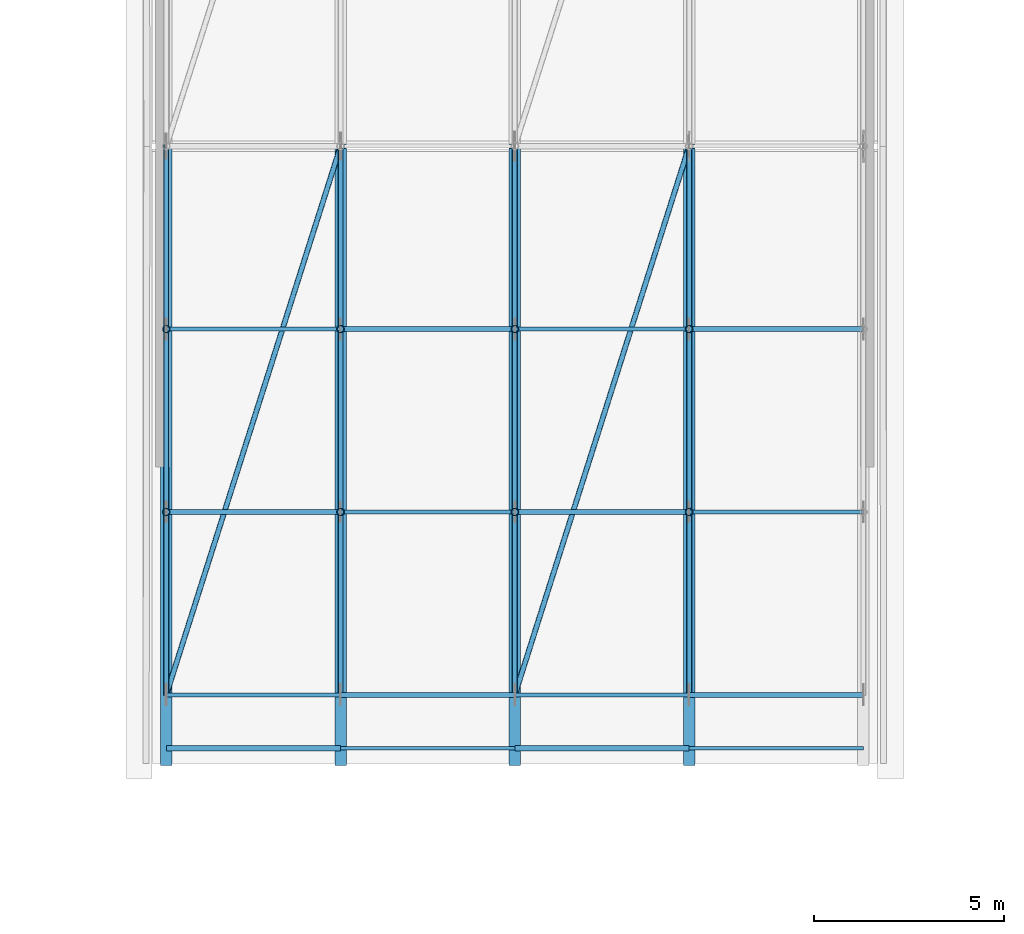
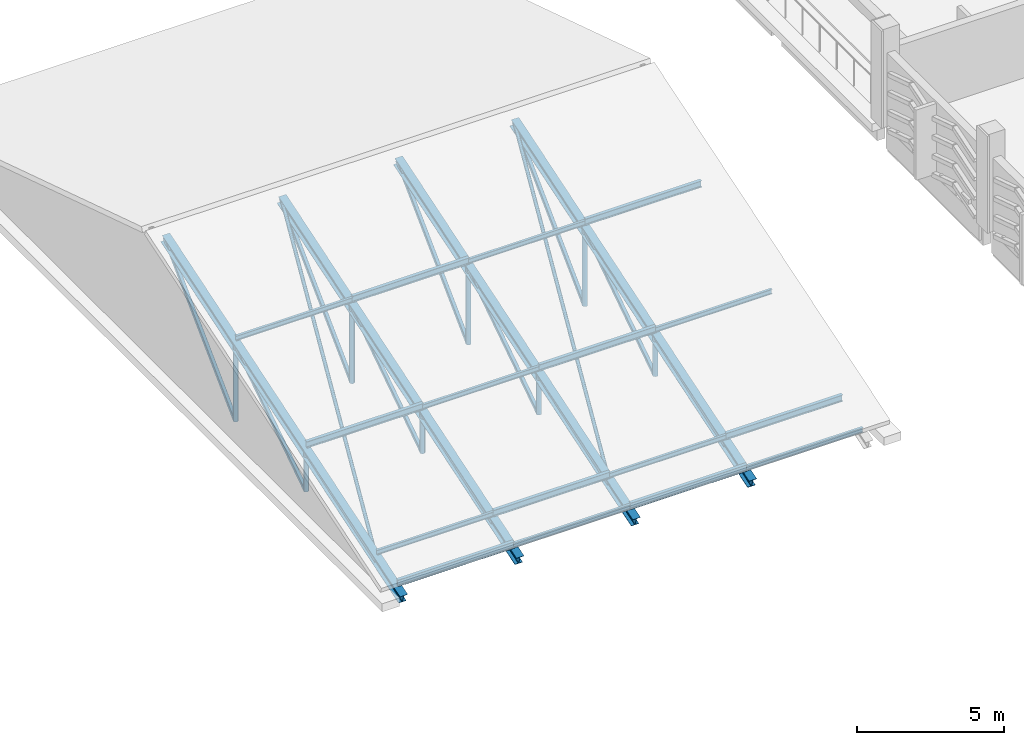
# One storey, part 21 of 134: 42 members.
"""IFC4 building model written with IfcOpenShell, lengths in metres."""

from ifc_helpers import new_model, si_unit, direction, frame, origin, origin_2d, place, context, subcontext, project, spatial, hollow_rectangle, hollow_circle, i_section, extrude, material, material_profile, profile_set, type_object, element, save


model = new_model("IFC4")

# Units and contexts
model_context = context("Model", 3, precision=1e-05, world=origin(), true_north=direction((0.0, 1.0)))
body_context = subcontext(model_context, "Body", "Model", "MODEL_VIEW")
ifc_project = project(units=[si_unit("LENGTHUNIT", "METRE"), si_unit("AREAUNIT", "SQUARE_METRE"), si_unit("VOLUMEUNIT", "CUBIC_METRE"), si_unit("PLANEANGLEUNIT", "RADIAN"), si_unit("MASSUNIT", "GRAM", prefix="KILO")], contexts=[model_context])

# Site, building, storey
site_placement = place(None, origin())
site = spatial("IfcSite", under=ifc_project, at=site_placement, CompositionType="ELEMENT")
building_placement = place(site_placement, origin())
building = spatial("IfcBuilding", under=site, at=building_placement, Name="Asteropetra Specialist Clinic", CompositionType="ELEMENT")
storey_placement = place(building_placement, frame((0.0, 0.0, 8.5)))
storey = spatial("IfcBuildingStorey", under=building, at=storey_placement, Name="L02", CompositionType="ELEMENT", Elevation=8.5)

# Members
ifc_material_1 = material(Name="Steel S355", Category="steel")
ifc_material_profile_1 = material_profile(ifc_material_1, hollow_circle(Radius=0.06982421875, WallThickness=0.008056640625, at=origin_2d()), Name="CHS 139.7x8.0")
ifc_profile_set_1 = profile_set([ifc_material_profile_1], Name="Steel S355")
member_type_1 = type_object("IfcMemberType", Name="TR-BRC-CHS139", PredefinedType="BRACE", material=ifc_profile_set_1)
for number, where, z_axis, x_axis, name in (
    (1, (77.25, 33.60009765625, 0.444580078125), (0.289546241841, 0.911362209096, 0.29254383888), (-0.953056414042, 0.302792786659, 0.0), "Roof Wind Brace TRV3-RB1-01"),
    (2, (86.39990234375, 33.60009765625, 0.444580078125), (0.289560397867, 0.911358131642, 0.292542530032), (-0.953051750975, 0.302807463519, 0.0), "Roof Wind Brace TRV3-RB1-03"),
):
    element("IfcMember", number, at=place(storey_placement, frame(where, z_axis=z_axis, x_axis=x_axis)), inside=storey, type_object=member_type_1, Name=name, PredefinedType="BRACE", context=body_context, shape_type="SweptSolid", body=[
        extrude(hollow_circle(Radius=0.06982421875, WallThickness=0.008056640625, at=origin_2d()), origin(), (0.0, 0.0, 1.0), 15.800537109375),
    ])
ifc_material_2 = material(Name="Steel S355", Category="steel")
ifc_material_profile_2 = material_profile(ifc_material_2, hollow_rectangle(XDim=0.139892578125, YDim=0.139892578125, WallThickness=0.008056640625, InnerFilletRadius=0.008056640625, OuterFilletRadius=0.01611328125, at=origin_2d()), Name="SHS 140x140x8.0")
ifc_profile_set_2 = profile_set([ifc_material_profile_2], Name="Steel S355")
member_type_2 = type_object("IfcMemberType", Name="TR-BRC-SHS140", PredefinedType="BRACE", material=ifc_profile_set_2)
member_1_placement = place(storey_placement, frame((77.25, 33.60009765625, 0.364990234375), z_axis=(0.0, 0.94746672286, 0.319854356034), x_axis=(-1.0, 0.0, 0.0)))
element("IfcMember", 3, at=member_1_placement, inside=storey, type_object=member_type_2, Name="Truss Web Diagonal TRV3-D01-0", PredefinedType="BRACE", context=body_context, shape_type="SweptSolid", body=[
    extrude(hollow_rectangle(XDim=0.139892578125, YDim=0.139892578125, WallThickness=0.008056640625, InnerFilletRadius=0.008056640625, OuterFilletRadius=0.01611328125, at=origin_2d()), origin(), (0.0, 0.0, 1.0), 5.06591796875),
])
member_2_placement = place(storey_placement, frame((77.25, 38.39990234375, 0.364990234375), z_axis=(0.0, 0.835160870884, 0.550005745192), x_axis=(-1.0, 0.0, 0.0)))
element("IfcMember", 4, at=member_2_placement, inside=storey, type_object=member_type_2, Name="Truss Web Diagonal TRV3-D01-1", PredefinedType="BRACE", context=body_context, shape_type="SweptSolid", body=[
    extrude(hollow_rectangle(XDim=0.139892578125, YDim=0.139892578125, WallThickness=0.008056640625, InnerFilletRadius=0.008056640625, OuterFilletRadius=0.01611328125, at=origin_2d()), origin(), (0.0, 0.0, 1.0), 5.74755859375),
])
member_3_placement = place(storey_placement, frame((77.25, 43.199951171875, 0.364990234375), z_axis=(0.0, 0.714372296444, 0.699765833743), x_axis=(-1.0, 0.0, 0.0)))
element("IfcMember", 5, at=member_3_placement, inside=storey, type_object=member_type_2, Name="Truss Web Diagonal TRV3-D01-2", PredefinedType="BRACE", context=body_context, shape_type="SweptSolid", body=[
    extrude(hollow_rectangle(XDim=0.139892578125, YDim=0.139892578125, WallThickness=0.008056640625, InnerFilletRadius=0.008056640625, OuterFilletRadius=0.01611328125, at=origin_2d()), origin(), (0.0, 0.0, 1.0), 6.71923828125),
])
member_4_placement = place(storey_placement, frame((81.824951171875, 33.60009765625, 0.35498046875), z_axis=(0.0, 0.946866645614, 0.321626422147), x_axis=(-1.0, 0.0, 0.0)))
element("IfcMember", 6, at=member_4_placement, inside=storey, type_object=member_type_2, Name="Truss Web Diagonal TRV3-D02-0", PredefinedType="BRACE", context=body_context, shape_type="SweptSolid", body=[
    extrude(hollow_rectangle(XDim=0.139892578125, YDim=0.139892578125, WallThickness=0.008056640625, InnerFilletRadius=0.008056640625, OuterFilletRadius=0.01611328125, at=origin_2d()), origin(), (0.0, 0.0, 1.0), 5.069091796875),
])
member_5_placement = place(storey_placement, frame((81.824951171875, 38.39990234375, 0.35498046875), z_axis=(0.0, 0.834360763343, 0.551218755662), x_axis=(-1.0, 0.0, 0.0)))
element("IfcMember", 7, at=member_5_placement, inside=storey, type_object=member_type_2, Name="Truss Web Diagonal TRV3-D02-1", PredefinedType="BRACE", context=body_context, shape_type="SweptSolid", body=[
    extrude(hollow_rectangle(XDim=0.139892578125, YDim=0.139892578125, WallThickness=0.008056640625, InnerFilletRadius=0.008056640625, OuterFilletRadius=0.01611328125, at=origin_2d()), origin(), (0.0, 0.0, 1.0), 5.7529296875),
])
member_6_placement = place(storey_placement, frame((81.824951171875, 43.199951171875, 0.35498046875), z_axis=(0.0, 0.713627970666, 0.700524888554), x_axis=(-1.0, 0.0, 0.0)))
element("IfcMember", 8, at=member_6_placement, inside=storey, type_object=member_type_2, Name="Truss Web Diagonal TRV3-D02-2", PredefinedType="BRACE", context=body_context, shape_type="SweptSolid", body=[
    extrude(hollow_rectangle(XDim=0.139892578125, YDim=0.139892578125, WallThickness=0.008056640625, InnerFilletRadius=0.008056640625, OuterFilletRadius=0.01611328125, at=origin_2d()), origin(), (0.0, 0.0, 1.0), 6.726318359375),
])
member_7_placement = place(storey_placement, frame((86.39990234375, 33.60009765625, 0.364990234375), z_axis=(0.0, 0.94746672286, 0.319854356034), x_axis=(-1.0, 0.0, 0.0)))
element("IfcMember", 9, at=member_7_placement, inside=storey, type_object=member_type_2, Name="Truss Web Diagonal TRV3-D03-0", PredefinedType="BRACE", context=body_context, shape_type="SweptSolid", body=[
    extrude(hollow_rectangle(XDim=0.139892578125, YDim=0.139892578125, WallThickness=0.008056640625, InnerFilletRadius=0.008056640625, OuterFilletRadius=0.01611328125, at=origin_2d()), origin(), (0.0, 0.0, 1.0), 5.06591796875),
])
member_8_placement = place(storey_placement, frame((86.39990234375, 38.39990234375, 0.364990234375), z_axis=(0.0, 0.835160870884, 0.550005745192), x_axis=(-1.0, 0.0, 0.0)))
element("IfcMember", 10, at=member_8_placement, inside=storey, type_object=member_type_2, Name="Truss Web Diagonal TRV3-D03-1", PredefinedType="BRACE", context=body_context, shape_type="SweptSolid", body=[
    extrude(hollow_rectangle(XDim=0.139892578125, YDim=0.139892578125, WallThickness=0.008056640625, InnerFilletRadius=0.008056640625, OuterFilletRadius=0.01611328125, at=origin_2d()), origin(), (0.0, 0.0, 1.0), 5.74755859375),
])
member_9_placement = place(storey_placement, frame((86.39990234375, 43.199951171875, 0.364990234375), z_axis=(0.0, 0.714372296444, 0.699765833743), x_axis=(-1.0, 0.0, 0.0)))
element("IfcMember", 11, at=member_9_placement, inside=storey, type_object=member_type_2, Name="Truss Web Diagonal TRV3-D03-2", PredefinedType="BRACE", context=body_context, shape_type="SweptSolid", body=[
    extrude(hollow_rectangle(XDim=0.139892578125, YDim=0.139892578125, WallThickness=0.008056640625, InnerFilletRadius=0.008056640625, OuterFilletRadius=0.01611328125, at=origin_2d()), origin(), (0.0, 0.0, 1.0), 6.71923828125),
])
member_10_placement = place(storey_placement, frame((90.97509765625, 33.60009765625, 0.35498046875), z_axis=(0.0, 0.946866645614, 0.321626422147), x_axis=(-1.0, 0.0, 0.0)))
element("IfcMember", 12, at=member_10_placement, inside=storey, type_object=member_type_2, Name="Truss Web Diagonal TRV3-D04-0", PredefinedType="BRACE", context=body_context, shape_type="SweptSolid", body=[
    extrude(hollow_rectangle(XDim=0.139892578125, YDim=0.139892578125, WallThickness=0.008056640625, InnerFilletRadius=0.008056640625, OuterFilletRadius=0.01611328125, at=origin_2d()), origin(), (0.0, 0.0, 1.0), 5.069091796875),
])
member_11_placement = place(storey_placement, frame((90.97509765625, 38.39990234375, 0.35498046875), z_axis=(0.0, 0.834360763343, 0.551218755662), x_axis=(-1.0, 0.0, 0.0)))
element("IfcMember", 13, at=member_11_placement, inside=storey, type_object=member_type_2, Name="Truss Web Diagonal TRV3-D04-1", PredefinedType="BRACE", context=body_context, shape_type="SweptSolid", body=[
    extrude(hollow_rectangle(XDim=0.139892578125, YDim=0.139892578125, WallThickness=0.008056640625, InnerFilletRadius=0.008056640625, OuterFilletRadius=0.01611328125, at=origin_2d()), origin(), (0.0, 0.0, 1.0), 5.7529296875),
])
member_12_placement = place(storey_placement, frame((90.97509765625, 43.199951171875, 0.35498046875), z_axis=(0.0, 0.713627970666, 0.700524888554), x_axis=(-1.0, 0.0, 0.0)))
element("IfcMember", 14, at=member_12_placement, inside=storey, type_object=member_type_2, Name="Truss Web Diagonal TRV3-D04-2", PredefinedType="BRACE", context=body_context, shape_type="SweptSolid", body=[
    extrude(hollow_rectangle(XDim=0.139892578125, YDim=0.139892578125, WallThickness=0.008056640625, InnerFilletRadius=0.008056640625, OuterFilletRadius=0.01611328125, at=origin_2d()), origin(), (0.0, 0.0, 1.0), 6.726318359375),
])
ifc_material_3 = material(Name="Steel S355", Category="steel")
ifc_material_profile_3 = material_profile(ifc_material_3, i_section(OverallWidth=0.300048828125, OverallDepth=0.35009765625, WebThickness=0.010009765625, FlangeThickness=0.017578125, FilletRadius=0.027099609375, at=origin_2d()), Name="HEA 360")
ifc_profile_set_3 = profile_set([ifc_material_profile_3], Name="Steel S355")
member_type_3 = type_object("IfcMemberType", Name="TR-CHD-HEA360", PredefinedType="CHORD", material=ifc_profile_set_3)
for number, where, z_axis, x_axis, name in (
    (15, (77.25, 31.800048828125, -0.13330078125), (0.0, 0.952147182359, 0.305639891255), (-1.0, 0.0, 0.0), "Truss South Top Chord TRV3-TCS01"),
    (16, (81.824951171875, 31.800048828125, -0.13330078125), (0.0, 0.952147182359, 0.305639891255), (-1.0, 0.0, 0.0), "Truss South Top Chord TRV3-TCS02"),
    (17, (86.39990234375, 31.800048828125, -0.13330078125), (0.0, 0.952147182359, 0.305639891255), (-1.0, 0.0, 0.0), "Truss South Top Chord TRV3-TCS03"),
    (18, (90.97509765625, 31.800048828125, -0.13330078125), (0.0, 0.952147182359, 0.305639891255), (-1.0, 0.0, 0.0), "Truss South Top Chord TRV3-TCS04"),
):
    element("IfcMember", number, at=place(storey_placement, frame(where, z_axis=z_axis, x_axis=x_axis)), inside=storey, type_object=member_type_3, Name=name, PredefinedType="CHORD", context=body_context, shape_type="SweptSolid", body=[
        extrude(i_section(OverallWidth=0.300048828125, OverallDepth=0.35009765625, WebThickness=0.010009765625, FlangeThickness=0.017578125, FilletRadius=0.027099609375, at=origin_2d()), origin(), (0.0, 0.0, 1.0), 17.01416015625),
    ])
ifc_material_4 = material(Name="Steel S355", Category="steel")
ifc_material_profile_4 = material_profile(ifc_material_4, i_section(OverallWidth=0.10009765625, OverallDepth=0.199951171875, WebThickness=0.005615234375, FlangeThickness=0.008544921875, FilletRadius=0.011962890625, at=origin_2d()), Name="IPE 200")
ifc_profile_set_4 = profile_set([ifc_material_profile_4], Name="Steel S355")
member_type_4 = type_object("IfcMemberType", Name="TR-PUR-IPE200", PredefinedType="PURLIN", material=ifc_profile_set_4)
for number, where, z_axis, x_axis, name in (
    (19, (77.25, 33.60009765625, 0.714599609375), (1.0, 0.0, 0.0), (0.0, 1.0, 0.0), "Roof Purlin TRV3-P01-02"),
    (20, (77.25, 43.199951171875, 3.796142578125), (1.0, 0.0, 0.0), (0.0, 1.0, 0.0), "Roof Purlin TRV3-P01-04"),
    (21, (81.824951171875, 32.199951171875, 0.26513671875), (1.0, 0.0, 0.0), (0.0, 1.0, 0.0), "Roof Purlin TRV3-P02-01"),
    (22, (81.824951171875, 38.39990234375, 2.25537109375), (1.0, 0.0, 0.0), (0.0, 1.0, 0.0), "Roof Purlin TRV3-P02-03"),
):
    element("IfcMember", number, at=place(storey_placement, frame(where, z_axis=z_axis, x_axis=x_axis)), inside=storey, type_object=member_type_4, Name=name, PredefinedType="PURLIN", context=body_context, shape_type="SweptSolid", body=[
        extrude(i_section(OverallWidth=0.10009765625, OverallDepth=0.199951171875, WebThickness=0.005615234375, FlangeThickness=0.008544921875, FilletRadius=0.011962890625, at=origin_2d()), origin(), (0.0, 0.0, 1.0), 4.574951171875),
    ])
for number, where, z_axis, x_axis, name in (
    (23, (86.39990234375, 33.60009765625, 0.714599609375), (1.0, 0.0, 0.0), (0.0, 1.0, 0.0), "Roof Purlin TRV3-P03-02"),
    (24, (86.39990234375, 43.199951171875, 3.796142578125), (1.0, 0.0, 0.0), (0.0, 1.0, 0.0), "Roof Purlin TRV3-P03-04"),
):
    element("IfcMember", number, at=place(storey_placement, frame(where, z_axis=z_axis, x_axis=x_axis)), inside=storey, type_object=member_type_4, Name=name, PredefinedType="PURLIN", context=body_context, shape_type="SweptSolid", body=[
        extrude(i_section(OverallWidth=0.10009765625, OverallDepth=0.199951171875, WebThickness=0.005615234375, FlangeThickness=0.008544921875, FilletRadius=0.011962890625, at=origin_2d()), origin(), (0.0, 0.0, 1.0), 4.5751953125),
    ])
for number, where, z_axis, x_axis, name in (
    (25, (90.97509765625, 32.199951171875, 0.26513671875), (1.0, 0.0, 0.0), (0.0, 1.0, 0.0), "Roof Purlin TRV3-P04-01"),
    (26, (90.97509765625, 38.39990234375, 2.25537109375), (1.0, 0.0, 0.0), (0.0, 1.0, 0.0), "Roof Purlin TRV3-P04-03"),
):
    element("IfcMember", number, at=place(storey_placement, frame(where, z_axis=z_axis, x_axis=x_axis)), inside=storey, type_object=member_type_4, Name=name, PredefinedType="PURLIN", context=body_context, shape_type="SweptSolid", body=[
        extrude(i_section(OverallWidth=0.10009765625, OverallDepth=0.199951171875, WebThickness=0.005615234375, FlangeThickness=0.008544921875, FilletRadius=0.011962890625, at=origin_2d()), origin(), (0.0, 0.0, 1.0), 4.574951171875),
    ])
ifc_material_5 = material(Name="Steel S355", Category="steel")
ifc_material_profile_5 = material_profile(ifc_material_5, i_section(OverallWidth=0.135009765625, OverallDepth=0.27001953125, WebThickness=0.006591796875, FlangeThickness=0.01025390625, FilletRadius=0.014892578125, at=origin_2d()), Name="IPE 270")
ifc_profile_set_5 = profile_set([ifc_material_profile_5], Name="Steel S355")
member_type_5 = type_object("IfcMemberType", Name="TR-PUR-IPE270", PredefinedType="PURLIN", material=ifc_profile_set_5)
for number, where, z_axis, x_axis, name in (
    (27, (77.25, 32.199951171875, 0.30029296875), (1.0, 0.0, 0.0), (0.0, 1.0, 0.0), "Roof Purlin TRV3-P01-01"),
    (28, (77.25, 38.39990234375, 2.290283203125), (1.0, 0.0, 0.0), (0.0, 1.0, 0.0), "Roof Purlin TRV3-P01-03"),
    (29, (81.824951171875, 33.60009765625, 0.74951171875), (1.0, 0.0, 0.0), (0.0, 1.0, 0.0), "Roof Purlin TRV3-P02-02"),
    (30, (81.824951171875, 43.199951171875, 3.8310546875), (1.0, 0.0, 0.0), (0.0, 1.0, 0.0), "Roof Purlin TRV3-P02-04"),
):
    element("IfcMember", number, at=place(storey_placement, frame(where, z_axis=z_axis, x_axis=x_axis)), inside=storey, type_object=member_type_5, Name=name, PredefinedType="PURLIN", context=body_context, shape_type="SweptSolid", body=[
        extrude(i_section(OverallWidth=0.135009765625, OverallDepth=0.27001953125, WebThickness=0.006591796875, FlangeThickness=0.01025390625, FilletRadius=0.014892578125, at=origin_2d()), origin(), (0.0, 0.0, 1.0), 4.574951171875),
    ])
for number, where, z_axis, x_axis, name in (
    (31, (86.39990234375, 32.199951171875, 0.30029296875), (1.0, 0.0, 0.0), (0.0, 1.0, 0.0), "Roof Purlin TRV3-P03-01"),
    (32, (86.39990234375, 38.39990234375, 2.290283203125), (1.0, 0.0, 0.0), (0.0, 1.0, 0.0), "Roof Purlin TRV3-P03-03"),
):
    element("IfcMember", number, at=place(storey_placement, frame(where, z_axis=z_axis, x_axis=x_axis)), inside=storey, type_object=member_type_5, Name=name, PredefinedType="PURLIN", context=body_context, shape_type="SweptSolid", body=[
        extrude(i_section(OverallWidth=0.135009765625, OverallDepth=0.27001953125, WebThickness=0.006591796875, FlangeThickness=0.01025390625, FilletRadius=0.014892578125, at=origin_2d()), origin(), (0.0, 0.0, 1.0), 4.5751953125),
    ])
for number, where, z_axis, x_axis, name in (
    (33, (90.97509765625, 33.60009765625, 0.74951171875), (1.0, 0.0, 0.0), (0.0, 1.0, 0.0), "Roof Purlin TRV3-P04-02"),
    (34, (90.97509765625, 43.199951171875, 3.8310546875), (1.0, 0.0, 0.0), (0.0, 1.0, 0.0), "Roof Purlin TRV3-P04-04"),
):
    element("IfcMember", number, at=place(storey_placement, frame(where, z_axis=z_axis, x_axis=x_axis)), inside=storey, type_object=member_type_5, Name=name, PredefinedType="PURLIN", context=body_context, shape_type="SweptSolid", body=[
        extrude(i_section(OverallWidth=0.135009765625, OverallDepth=0.27001953125, WebThickness=0.006591796875, FlangeThickness=0.01025390625, FilletRadius=0.014892578125, at=origin_2d()), origin(), (0.0, 0.0, 1.0), 4.574951171875),
    ])
ifc_material_6 = material(Name="Steel S355", Category="steel")
ifc_material_profile_6 = material_profile(ifc_material_6, hollow_circle(Radius=0.096923828125, WallThickness=0.010009765625, at=origin_2d()), Name="CHS 193.7x10.0")
ifc_profile_set_6 = profile_set([ifc_material_profile_6], Name="Steel S355")
member_type_6 = type_object("IfcMemberType", Name="TR-STR-CHS193", PredefinedType="STRUT", material=ifc_profile_set_6)
member_13_placement = place(storey_placement, frame((77.25, 38.39990234375, 0.364990234375), z_axis=(0.0, 0.0, 1.0), x_axis=(1.0, 0.0, 0.0)))
element("IfcMember", 35, at=member_13_placement, inside=storey, type_object=member_type_6, Name="Truss Web Strut TRV3-V01-1", PredefinedType="STRUT", context=body_context, shape_type="SweptSolid", body=[
    extrude(hollow_circle(Radius=0.096923828125, WallThickness=0.010009765625, at=origin_2d()), origin(), (0.0, 0.0, 1.0), 1.620361328125),
])
member_14_placement = place(storey_placement, frame((77.25, 43.199951171875, 0.364990234375), z_axis=(0.0, 0.0, 1.0), x_axis=(1.0, 0.0, 0.0)))
element("IfcMember", 36, at=member_14_placement, inside=storey, type_object=member_type_6, Name="Truss Web Strut TRV3-V01-2", PredefinedType="STRUT", context=body_context, shape_type="SweptSolid", body=[
    extrude(hollow_circle(Radius=0.096923828125, WallThickness=0.010009765625, at=origin_2d()), origin(), (0.0, 0.0, 1.0), 3.1611328125),
])
member_15_placement = place(storey_placement, frame((81.824951171875, 38.39990234375, 0.35498046875), z_axis=(0.0, 0.0, 1.0), x_axis=(1.0, 0.0, 0.0)))
element("IfcMember", 37, at=member_15_placement, inside=storey, type_object=member_type_6, Name="Truss Web Strut TRV3-V02-1", PredefinedType="STRUT", context=body_context, shape_type="SweptSolid", body=[
    extrude(hollow_circle(Radius=0.096923828125, WallThickness=0.010009765625, at=origin_2d()), origin(), (0.0, 0.0, 1.0), 1.63037109375),
])
member_16_placement = place(storey_placement, frame((81.824951171875, 43.199951171875, 0.35498046875), z_axis=(0.0, 0.0, 1.0), x_axis=(1.0, 0.0, 0.0)))
element("IfcMember", 38, at=member_16_placement, inside=storey, type_object=member_type_6, Name="Truss Web Strut TRV3-V02-2", PredefinedType="STRUT", context=body_context, shape_type="SweptSolid", body=[
    extrude(hollow_circle(Radius=0.096923828125, WallThickness=0.010009765625, at=origin_2d()), origin(), (0.0, 0.0, 1.0), 3.171142578125),
])
member_17_placement = place(storey_placement, frame((86.39990234375, 38.39990234375, 0.364990234375), z_axis=(0.0, 0.0, 1.0), x_axis=(1.0, 0.0, 0.0)))
element("IfcMember", 39, at=member_17_placement, inside=storey, type_object=member_type_6, Name="Truss Web Strut TRV3-V03-1", PredefinedType="STRUT", context=body_context, shape_type="SweptSolid", body=[
    extrude(hollow_circle(Radius=0.096923828125, WallThickness=0.010009765625, at=origin_2d()), origin(), (0.0, 0.0, 1.0), 1.620361328125),
])
member_18_placement = place(storey_placement, frame((86.39990234375, 43.199951171875, 0.364990234375), z_axis=(0.0, 0.0, 1.0), x_axis=(1.0, 0.0, 0.0)))
element("IfcMember", 40, at=member_18_placement, inside=storey, type_object=member_type_6, Name="Truss Web Strut TRV3-V03-2", PredefinedType="STRUT", context=body_context, shape_type="SweptSolid", body=[
    extrude(hollow_circle(Radius=0.096923828125, WallThickness=0.010009765625, at=origin_2d()), origin(), (0.0, 0.0, 1.0), 3.1611328125),
])
member_19_placement = place(storey_placement, frame((90.97509765625, 38.39990234375, 0.35498046875), z_axis=(0.0, 0.0, 1.0), x_axis=(1.0, 0.0, 0.0)))
element("IfcMember", 41, at=member_19_placement, inside=storey, type_object=member_type_6, Name="Truss Web Strut TRV3-V04-1", PredefinedType="STRUT", context=body_context, shape_type="SweptSolid", body=[
    extrude(hollow_circle(Radius=0.096923828125, WallThickness=0.010009765625, at=origin_2d()), origin(), (0.0, 0.0, 1.0), 1.63037109375),
])
member_20_placement = place(storey_placement, frame((90.97509765625, 43.199951171875, 0.35498046875), z_axis=(0.0, 0.0, 1.0), x_axis=(1.0, 0.0, 0.0)))
element("IfcMember", 42, at=member_20_placement, inside=storey, type_object=member_type_6, Name="Truss Web Strut TRV3-V04-2", PredefinedType="STRUT", context=body_context, shape_type="SweptSolid", body=[
    extrude(hollow_circle(Radius=0.096923828125, WallThickness=0.010009765625, at=origin_2d()), origin(), (0.0, 0.0, 1.0), 3.171142578125),
])

save(model, "model.ifc")
